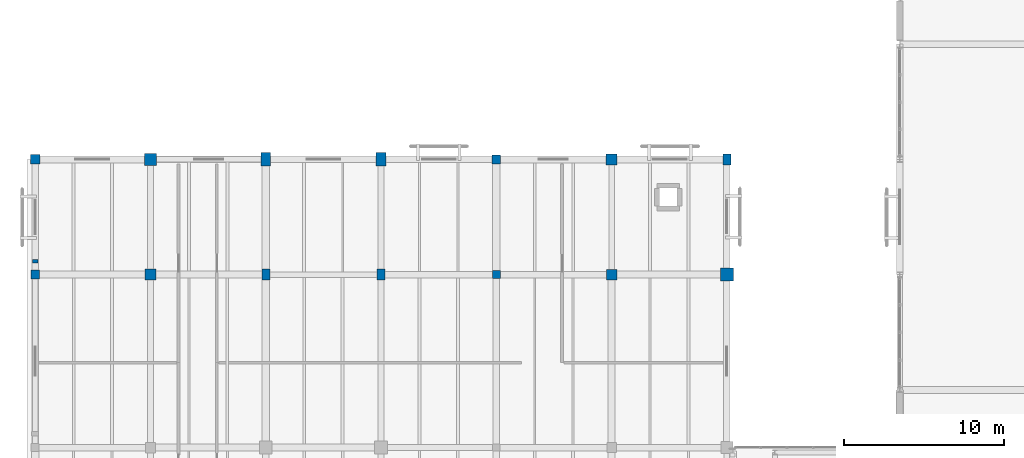
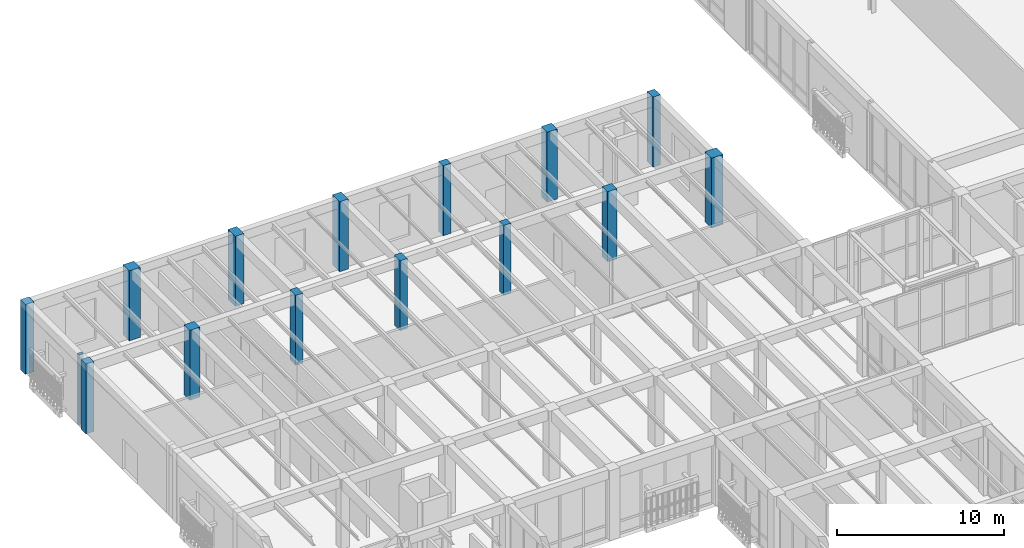
# One storey, part 9 of 169: 15 columns.
"""IFC4 building model written with IfcOpenShell, lengths in metres."""

from ifc_helpers import new_model, si_unit, direction, frame, origin, origin_2d, place, context, subcontext, project, spatial, rectangle, extrude, material, material_profile, profile_set, type_object, element, save


model = new_model("IFC4")

# Units and contexts
model_context = context("Model", 3, precision=1e-05, world=origin(), true_north=direction((0.0, 1.0)))
body_context = subcontext(model_context, "Body", "Model", "MODEL_VIEW")
ifc_project = project(units=[si_unit("LENGTHUNIT", "METRE"), si_unit("AREAUNIT", "SQUARE_METRE"), si_unit("VOLUMEUNIT", "CUBIC_METRE"), si_unit("PLANEANGLEUNIT", "RADIAN"), si_unit("MASSUNIT", "GRAM", prefix="KILO")], contexts=[model_context])

# Site, building, storey
site_placement = place(None, origin())
site = spatial("IfcSite", under=ifc_project, at=site_placement, CompositionType="ELEMENT")
building_placement = place(site_placement, origin())
building = spatial("IfcBuilding", under=site, at=building_placement, Name="Mazaris Harbour Polytechnic", CompositionType="ELEMENT")
storey_placement = place(building_placement, origin())
storey = spatial("IfcBuildingStorey", under=building, at=storey_placement, Name="L00", CompositionType="ELEMENT", Elevation=0.0)

# Columns
ifc_material_1 = material(Name="Concrete C35/45", Category="concrete")
ifc_material_profile_1 = material_profile(ifc_material_1, rectangle(XDim=0.320068359375, YDim=0.219970703125, at=origin_2d()), Name="RECT320x220")
ifc_profile_set_1 = profile_set([ifc_material_profile_1], Name="Concrete C35/45")
column_type_1 = type_object("IfcColumnType", Name="Limestone Pilaster 320x220", PredefinedType="PILASTER", material=ifc_profile_set_1)
column_1_placement = place(storey_placement, frame((0.0, 94.449951171875, 0.0), z_axis=(0.0, 0.0, 1.0), x_axis=(1.0, 0.0, 0.0)))
element("IfcColumn", 1, at=column_1_placement, inside=storey, type_object=column_type_1, Name="V4 L00 Giant Order Pilaster 24", PredefinedType="PILASTER", context=body_context, shape_type="SweptSolid", body=[
    extrude(rectangle(XDim=0.320068359375, YDim=0.219970703125, at=origin_2d()), origin(), (0.0, 0.0, 1.0), 5.10009765625),
])
ifc_material_2 = material(Name="Concrete C40/50", Category="concrete")
ifc_material_profile_2 = material_profile(ifc_material_2, rectangle(XDim=0.5, YDim=0.5, at=origin_2d()), Name="RECT500x500")
ifc_profile_set_2 = profile_set([ifc_material_profile_2], Name="Concrete C40/50")
column_type_2 = type_object("IfcColumnType", Name="RC Column 500x500", PredefinedType="COLUMN", material=ifc_profile_set_2)
column_2_placement = place(storey_placement, frame((28.800048828125, 93.60009765625, 0.0), z_axis=(0.0, 0.0, 1.0), x_axis=(1.0, 0.0, 0.0)))
element("IfcColumn", 2, at=column_2_placement, inside=storey, type_object=column_type_2, Name="V4 L00 Column 700", PredefinedType="COLUMN", context=body_context, shape_type="SweptSolid", body=[
    extrude(rectangle(XDim=0.5, YDim=0.5, at=origin_2d()), origin(), (0.0, 0.0, 1.0), 5.10009765625),
])
ifc_material_3 = material(Name="Concrete C40/50", Category="concrete")
ifc_material_profile_3 = material_profile(ifc_material_3, rectangle(XDim=0.5, YDim=0.699951171875, at=origin_2d()), Name="RECT500x700")
ifc_profile_set_3 = profile_set([ifc_material_profile_3], Name="Concrete C40/50")
column_type_3 = type_object("IfcColumnType", Name="RC Column 500x700", PredefinedType="COLUMN", material=ifc_profile_set_3)
for number, where, z_axis, x_axis, name in (
    (3, (14.39990234375, 93.60009765625, 0.0), (0.0, 0.0, 1.0), (1.0, 0.0, 0.0), "V4 L00 Column 677"),
    (4, (21.60009765625, 93.60009765625, 0.0), (0.0, 0.0, 1.0), (1.0, 0.0, 0.0), "V4 L00 Column 687"),
):
    element("IfcColumn", number, at=place(storey_placement, frame(where, z_axis=z_axis, x_axis=x_axis)), inside=storey, type_object=column_type_3, Name=name, PredefinedType="COLUMN", context=body_context, shape_type="SweptSolid", body=[
        extrude(rectangle(XDim=0.5, YDim=0.699951171875, at=origin_2d()), origin(), (0.0, 0.0, 1.0), 5.10009765625),
    ])
ifc_material_4 = material(Name="Concrete C40/50", Category="concrete")
ifc_material_profile_4 = material_profile(ifc_material_4, rectangle(XDim=0.5, YDim=0.699951171875, at=origin_2d()), Name="RECT500x700")
ifc_profile_set_4 = profile_set([ifc_material_profile_4], Name="Concrete C40/50")
column_type_4 = type_object("IfcColumnType", Name="RC Column 500x700 Exterior", PredefinedType="COLUMN", material=ifc_profile_set_4)
column_3_placement = place(storey_placement, frame((43.199951171875, 100.800048828125, 0.0), z_axis=(0.0, 0.0, 1.0), x_axis=(1.0, 0.0, 0.0)))
element("IfcColumn", 5, at=column_3_placement, inside=storey, type_object=column_type_4, Name="V4 L00 Column 727", PredefinedType="COLUMN", context=body_context, shape_type="SweptSolid", body=[
    extrude(rectangle(XDim=0.5, YDim=0.699951171875, at=origin_2d()), origin(), (0.0, 0.0, 1.0), 5.10009765625),
])
ifc_material_5 = material(Name="Concrete C40/50", Category="concrete")
ifc_material_profile_5 = material_profile(ifc_material_5, rectangle(XDim=0.550048828125, YDim=0.550048828125, at=origin_2d()), Name="RECT550x550")
ifc_profile_set_5 = profile_set([ifc_material_profile_5], Name="Concrete C40/50")
column_type_5 = type_object("IfcColumnType", Name="RC Column 550x550 Exterior", PredefinedType="COLUMN", material=ifc_profile_set_5)
for number, where, z_axis, x_axis, name in (
    (6, (0.0, 93.60009765625, 0.0), (0.0, 0.0, 1.0), (1.0, 0.0, 0.0), "V4 L00 Column 651"),
    (7, (28.800048828125, 100.800048828125, 0.0), (0.0, 0.0, 1.0), (1.0, 0.0, 0.0), "V4 L00 Column 701"),
):
    element("IfcColumn", number, at=place(storey_placement, frame(where, z_axis=z_axis, x_axis=x_axis)), inside=storey, type_object=column_type_5, Name=name, PredefinedType="COLUMN", context=body_context, shape_type="SweptSolid", body=[
        extrude(rectangle(XDim=0.550048828125, YDim=0.550048828125, at=origin_2d()), origin(), (0.0, 0.0, 1.0), 5.10009765625),
    ])
ifc_material_6 = material(Name="Concrete C40/50", Category="concrete")
ifc_material_profile_6 = material_profile(ifc_material_6, rectangle(XDim=0.60009765625, YDim=0.60009765625, at=origin_2d()), Name="RECT600x600")
ifc_profile_set_6 = profile_set([ifc_material_profile_6], Name="Concrete C40/50")
column_type_6 = type_object("IfcColumnType", Name="RC Column 600x600 Exterior", PredefinedType="COLUMN", material=ifc_profile_set_6)
column_4_placement = place(storey_placement, frame((0.0, 100.800048828125, 0.0), z_axis=(0.0, 0.0, 1.0), x_axis=(1.0, 0.0, 0.0)))
element("IfcColumn", 8, at=column_4_placement, inside=storey, type_object=column_type_6, Name="V4 L00 Column 652", PredefinedType="COLUMN", context=body_context, shape_type="SweptSolid", body=[
    extrude(rectangle(XDim=0.60009765625, YDim=0.60009765625, at=origin_2d()), origin(), (0.0, 0.0, 1.0), 5.10009765625),
])
ifc_material_7 = material(Name="Concrete C40/50", Category="concrete")
ifc_material_profile_7 = material_profile(ifc_material_7, rectangle(XDim=0.60009765625, YDim=0.85009765625, at=origin_2d()), Name="RECT600x850")
ifc_profile_set_7 = profile_set([ifc_material_profile_7], Name="Concrete C40/50")
column_type_7 = type_object("IfcColumnType", Name="RC Column 600x850 Exterior", PredefinedType="COLUMN", material=ifc_profile_set_7)
for number, where, z_axis, x_axis, name in (
    (9, (14.39990234375, 100.800048828125, 0.0), (0.0, 0.0, 1.0), (1.0, 0.0, 0.0), "V4 L00 Column 678"),
    (10, (21.60009765625, 100.800048828125, 0.0), (0.0, 0.0, 1.0), (1.0, 0.0, 0.0), "V4 L00 Column 688"),
):
    element("IfcColumn", number, at=place(storey_placement, frame(where, z_axis=z_axis, x_axis=x_axis)), inside=storey, type_object=column_type_7, Name=name, PredefinedType="COLUMN", context=body_context, shape_type="SweptSolid", body=[
        extrude(rectangle(XDim=0.60009765625, YDim=0.85009765625, at=origin_2d()), origin(), (0.0, 0.0, 1.0), 5.10009765625),
    ])
ifc_material_8 = material(Name="Concrete C40/50", Category="concrete")
ifc_material_profile_8 = material_profile(ifc_material_8, rectangle(XDim=0.64990234375, YDim=0.64990234375, at=origin_2d()), Name="RECT650x650")
ifc_profile_set_8 = profile_set([ifc_material_profile_8], Name="Concrete C40/50")
column_type_8 = type_object("IfcColumnType", Name="RC Column 650x650", PredefinedType="COLUMN", material=ifc_profile_set_8)
column_5_placement = place(storey_placement, frame((36.0, 93.60009765625, 0.0), z_axis=(0.0, 0.0, 1.0), x_axis=(1.0, 0.0, 0.0)))
element("IfcColumn", 11, at=column_5_placement, inside=storey, type_object=column_type_8, Name="V4 L00 Column 713", PredefinedType="COLUMN", context=body_context, shape_type="SweptSolid", body=[
    extrude(rectangle(XDim=0.64990234375, YDim=0.64990234375, at=origin_2d()), origin(), (0.0, 0.0, 1.0), 5.10009765625),
])
ifc_material_9 = material(Name="Concrete C40/50", Category="concrete")
ifc_material_profile_9 = material_profile(ifc_material_9, rectangle(XDim=0.699951171875, YDim=0.699951171875, at=origin_2d()), Name="RECT700x700")
ifc_profile_set_9 = profile_set([ifc_material_profile_9], Name="Concrete C40/50")
column_type_9 = type_object("IfcColumnType", Name="RC Column 700x700", PredefinedType="COLUMN", material=ifc_profile_set_9)
column_6_placement = place(storey_placement, frame((7.199951171875, 93.60009765625, 0.0), z_axis=(0.0, 0.0, 1.0), x_axis=(1.0, 0.0, 0.0)))
element("IfcColumn", 12, at=column_6_placement, inside=storey, type_object=column_type_9, Name="V4 L00 Column 664", PredefinedType="COLUMN", context=body_context, shape_type="SweptSolid", body=[
    extrude(rectangle(XDim=0.699951171875, YDim=0.699951171875, at=origin_2d()), origin(), (0.0, 0.0, 1.0), 5.10009765625),
])
ifc_material_10 = material(Name="Concrete C40/50", Category="concrete")
ifc_material_profile_10 = material_profile(ifc_material_10, rectangle(XDim=0.699951171875, YDim=0.699951171875, at=origin_2d()), Name="RECT700x700")
ifc_profile_set_10 = profile_set([ifc_material_profile_10], Name="Concrete C40/50")
column_type_10 = type_object("IfcColumnType", Name="RC Column 700x700 Exterior", PredefinedType="COLUMN", material=ifc_profile_set_10)
column_7_placement = place(storey_placement, frame((36.0, 100.800048828125, 0.0), z_axis=(0.0, 0.0, 1.0), x_axis=(1.0, 0.0, 0.0)))
element("IfcColumn", 13, at=column_7_placement, inside=storey, type_object=column_type_10, Name="V4 L00 Column 714", PredefinedType="COLUMN", context=body_context, shape_type="SweptSolid", body=[
    extrude(rectangle(XDim=0.699951171875, YDim=0.699951171875, at=origin_2d()), origin(), (0.0, 0.0, 1.0), 5.10009765625),
])
ifc_material_11 = material(Name="Concrete C40/50", Category="concrete")
ifc_material_profile_11 = material_profile(ifc_material_11, rectangle(XDim=0.75, YDim=0.75, at=origin_2d()), Name="RECT750x750")
ifc_profile_set_11 = profile_set([ifc_material_profile_11], Name="Concrete C40/50")
column_type_11 = type_object("IfcColumnType", Name="RC Column 750x750 Exterior", PredefinedType="COLUMN", material=ifc_profile_set_11)
column_8_placement = place(storey_placement, frame((7.199951171875, 100.800048828125, 0.0), z_axis=(0.0, 0.0, 1.0), x_axis=(1.0, 0.0, 0.0)))
element("IfcColumn", 14, at=column_8_placement, inside=storey, type_object=column_type_11, Name="V4 L00 Column 665", PredefinedType="COLUMN", context=body_context, shape_type="SweptSolid", body=[
    extrude(rectangle(XDim=0.75, YDim=0.75, at=origin_2d()), origin(), (0.0, 0.0, 1.0), 5.10009765625),
])
ifc_material_12 = material(Name="Concrete C40/50", Category="concrete")
ifc_material_profile_12 = material_profile(ifc_material_12, rectangle(XDim=0.800048828125, YDim=0.800048828125, at=origin_2d()), Name="RECT800x800")
ifc_profile_set_12 = profile_set([ifc_material_profile_12], Name="Concrete C40/50")
column_type_12 = type_object("IfcColumnType", Name="RC Column 800x800 Exterior", PredefinedType="COLUMN", material=ifc_profile_set_12)
column_9_placement = place(storey_placement, frame((43.199951171875, 93.60009765625, 0.0), z_axis=(0.0, 0.0, 1.0), x_axis=(1.0, 0.0, 0.0)))
element("IfcColumn", 15, at=column_9_placement, inside=storey, type_object=column_type_12, Name="V4 L00 Column 726", PredefinedType="COLUMN", context=body_context, shape_type="SweptSolid", body=[
    extrude(rectangle(XDim=0.800048828125, YDim=0.800048828125, at=origin_2d()), origin(), (0.0, 0.0, 1.0), 5.10009765625),
])

save(model, "model.ifc")
